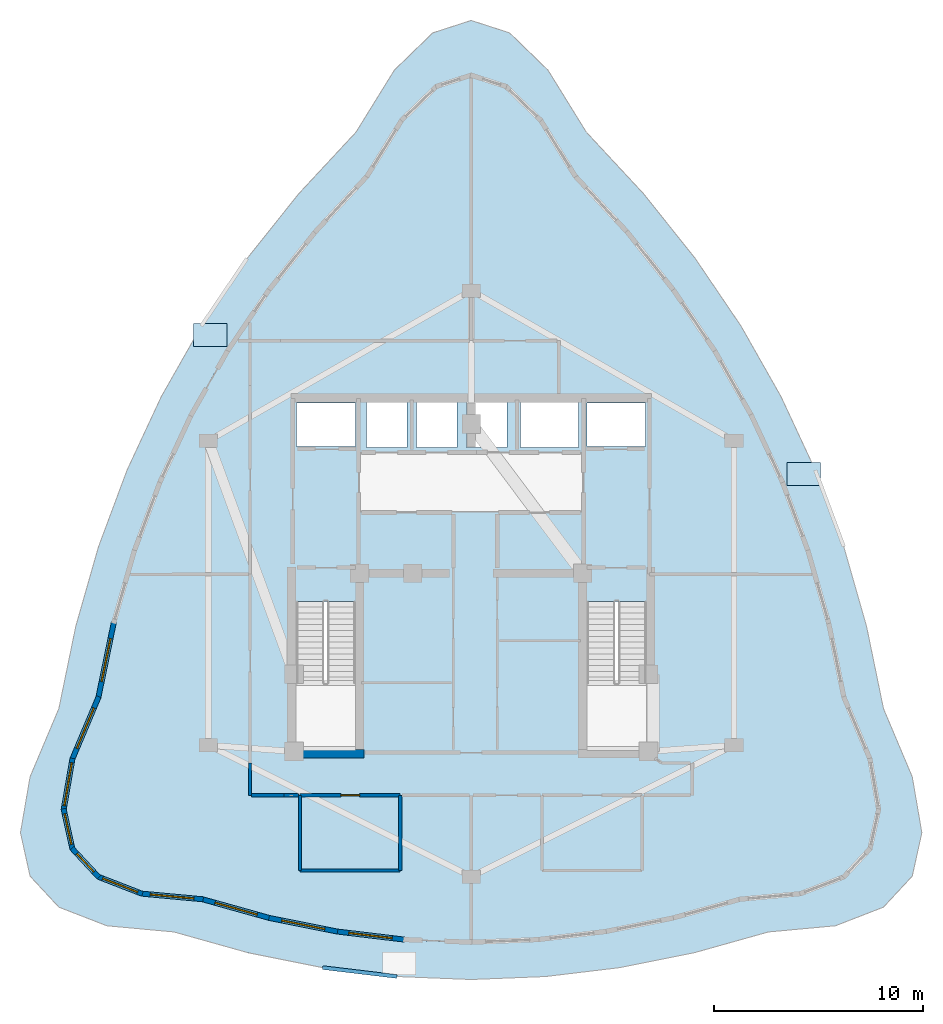
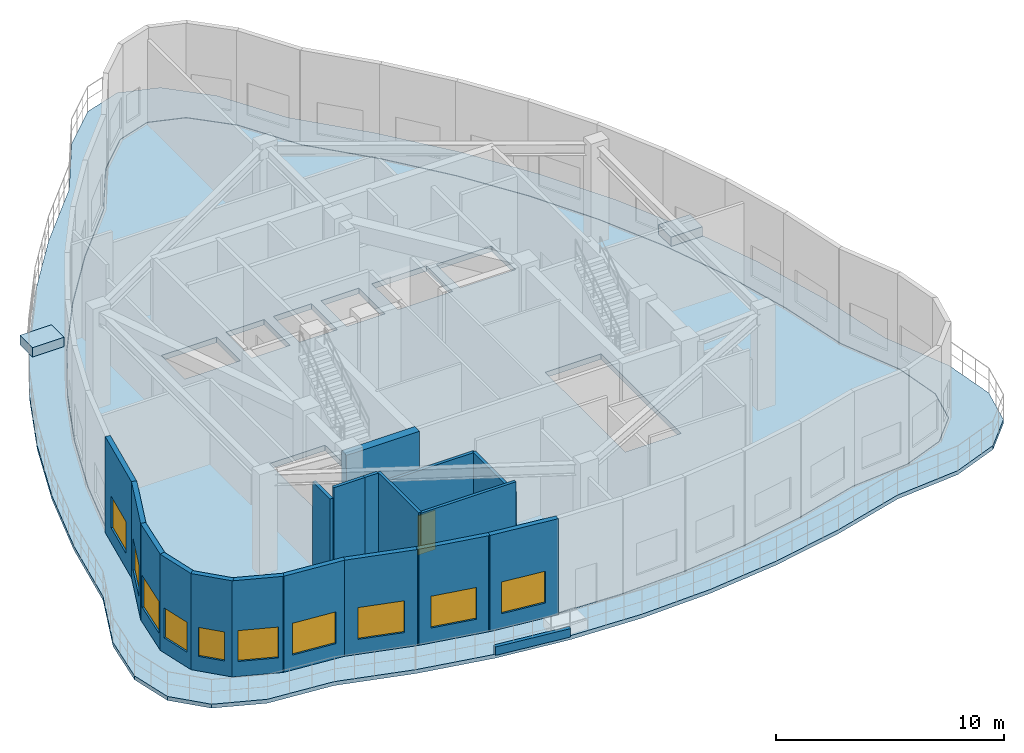
# One storey, part 3 of 11: 19 walls, 10 windows, 4 slabs, 1 door, 11 openings.
"""IFC4 building model written with IfcOpenShell, lengths in metres."""

from ifc_helpers import new_model, si_unit, direction, frame, frame_2d, origin, place, context, subcontext, project, spatial, polyline, rectangle, outline, extrude, material, layer, layer_set, type_object, element, fill, save


model = new_model("IFC4")

# Units and contexts
model_context = context("Model", 3, precision=1e-05, world=origin(), true_north=direction((0.0, 1.0)))
body_context = subcontext(model_context, "Body", "Model", "MODEL_VIEW")
ifc_project = project(units=[si_unit("LENGTHUNIT", "METRE"), si_unit("AREAUNIT", "SQUARE_METRE"), si_unit("VOLUMEUNIT", "CUBIC_METRE"), si_unit("PLANEANGLEUNIT", "RADIAN"), si_unit("MASSUNIT", "GRAM", prefix="KILO")], contexts=[model_context])

# Site, building, storey
site_placement = place(None, origin())
site = spatial("IfcSite", under=ifc_project, at=site_placement, CompositionType="ELEMENT")
building_placement = place(site_placement, origin())
building = spatial("IfcBuilding", under=site, at=building_placement, Name="Miruveldt Soraemaru", CompositionType="ELEMENT")
storey_placement = place(building_placement, frame((0.0, 0.0, 295.39990234375)))
storey = spatial("IfcBuildingStorey", under=building, at=storey_placement, Name="L79", CompositionType="ELEMENT", Elevation=295.39990234375)

# Slabs
ifc_material_1 = material(Name="Concrete C40/50 (40 MPa)", Category="concrete")
ifc_layer_1 = layer(ifc_material_1, 0.2900390625, Name="Concrete C40/50 (40 MPa)", Category="concrete")
ifc_layer_set_1 = layer_set([ifc_layer_1], Name="Concrete C40/50 (40 MPa)")
slab_type_1 = type_object("IfcSlabType", Name="SLAB-OBSV-290", PredefinedType="FLOOR", material=ifc_layer_set_1)
slab_1_placement = place(storey_placement, frame((0.0, 0.0, -0.289794921875)))
element("IfcSlab", 1, at=slab_1_placement, inside=storey, type_object=slab_type_1, Name="L79 Structural Floor Slab", PredefinedType="FLOOR", context=body_context, shape_type="SweptSolid", body=[
    extrude(outline(polyline([(51.4755859375, 60.413330078125), (53.71044921875, 57.61181640625), (55.695556640625, 54.681640625), (57.4306640625, 51.62255859375), (58.915771484375, 48.4345703125), (60.151123046875, 45.117919921875), (61.136474609375, 41.67236328125), (61.8720703125, 38.097900390625), (63.119873046875, 35.1396484375), (63.53564453125, 32.718994140625), (63.119873046875, 30.83642578125), (61.8720703125, 29.49169921875), (59.79248046875, 28.684814453125), (56.881103515625, 28.416015625), (53.660888671875, 27.514404296875), (50.4404296875, 26.870361328125), (47.22021484375, 26.48388671875), (44.0, 26.35498046875), (40.77978515625, 26.48388671875), (37.5595703125, 26.870361328125), (34.339111328125, 27.514404296875), (31.118896484375, 28.416015625), (28.20751953125, 28.684814453125), (26.1279296875, 29.49169921875), (24.880126953125, 30.83642578125), (24.46435546875, 32.718994140625), (24.880126953125, 35.1396484375), (26.1279296875, 38.097900390625), (26.863525390625, 41.67236328125), (27.848876953125, 45.117919921875), (29.084228515625, 48.4345703125), (30.5693359375, 51.62255859375), (32.304443359375, 54.681640625), (34.28955078125, 57.61181640625), (36.5244140625, 60.413330078125), (39.009033203125, 63.0859375), (40.672607421875, 65.775390625), (42.336181640625, 67.38916015625), (44.0, 67.927001953125), (45.663818359375, 67.38916015625), (47.327392578125, 65.775390625), (48.990966796875, 63.0859375), (51.4755859375, 60.413330078125)]), holes=[polyline([(35.614990234375, 35.6650390625), (38.43505859375, 35.6650390625), (38.43505859375, 42.68505859375), (35.614990234375, 42.68505859375), (35.614990234375, 35.6650390625)]), polyline([(49.56494140625, 35.6650390625), (52.385009765625, 35.6650390625), (52.385009765625, 42.68505859375), (49.56494140625, 42.68505859375), (49.56494140625, 35.6650390625)]), polyline([(38.445068359375, 50.135009765625), (38.445068359375, 52.205078125), (35.635009765625, 52.205078125), (35.635009765625, 50.135009765625), (38.445068359375, 50.135009765625)]), polyline([(52.364990234375, 50.135009765625), (52.364990234375, 52.205078125), (49.554931640625, 52.205078125), (49.554931640625, 50.135009765625), (52.364990234375, 50.135009765625)]), polyline([(40.9150390625, 50.06494140625), (40.9150390625, 52.3349609375), (38.985107421875, 52.3349609375), (38.985107421875, 50.06494140625), (40.9150390625, 50.06494140625)]), polyline([(43.31494140625, 50.06494140625), (43.31494140625, 52.3349609375), (41.385009765625, 52.3349609375), (41.385009765625, 50.06494140625), (43.31494140625, 50.06494140625)]), polyline([(45.715087890625, 50.06494140625), (45.715087890625, 52.3349609375), (43.784912109375, 52.3349609375), (43.784912109375, 50.06494140625), (45.715087890625, 50.06494140625)]), polyline([(49.135009765625, 50.06494140625), (49.135009765625, 52.3349609375), (46.364990234375, 52.3349609375), (46.364990234375, 50.06494140625), (49.135009765625, 50.06494140625)])]), origin(), (0.0, 0.0, 1.0), 0.289794921875),
])
ifc_material_2 = material(Name="Precast concrete C45/55 (45 MPa)", Category="concrete")
ifc_layer_2 = layer(ifc_material_2, 0.179931640625, Name="Precast concrete C45/55 (45 MPa)", Category="concrete")
ifc_layer_set_2 = layer_set([ifc_layer_2], Name="Precast concrete C45/55 (45 MPa)")
slab_type_2 = type_object("IfcSlabType", Name="SLAB-PLTR-180", PredefinedType="USERDEFINED", material=ifc_layer_set_2)
slab_2_placement = place(storey_placement, origin())
element("IfcSlab", 2, at=slab_2_placement, inside=storey, type_object=slab_type_2, Name="L79 Terrace Planter Bed PLANTER 1", ObjectType="PLANTER", PredefinedType="USERDEFINED", context=body_context, shape_type="SweptSolid", body=[
    extrude(outline(polyline([(30.697998046875, 54.923095703125), (32.298095703125, 54.923095703125), (32.298095703125, 56.02294921875), (30.697998046875, 56.02294921875), (30.697998046875, 54.923095703125)])), origin(), (0.0, 0.0, 1.0), 0.5),
])
slab_3_placement = place(storey_placement, origin())
element("IfcSlab", 3, at=slab_3_placement, inside=storey, type_object=slab_type_2, Name="L79 Terrace Planter Bed PLANTER 3", ObjectType="PLANTER", PredefinedType="USERDEFINED", context=body_context, shape_type="SweptSolid", body=[
    extrude(outline(polyline([(59.14404296875, 48.2451171875), (60.743896484375, 48.2451171875), (60.743896484375, 49.344970703125), (59.14404296875, 49.344970703125), (59.14404296875, 48.2451171875)])), origin(), (0.0, 0.0, 1.0), 0.5),
])
ifc_layer_3 = layer(ifc_material_1, 0.2099609375, Name="Concrete C40/50 (40 MPa)", Category="concrete")
ifc_layer_set_3 = layer_set([ifc_layer_3], Name="Concrete C40/50 (40 MPa)")
slab_type_3 = type_object("IfcSlabType", Name="SLAB-TERR-210", PredefinedType="ROOF", material=ifc_layer_set_3)
slab_4_placement = place(storey_placement, frame((0.0, 0.0, -0.2099609375)))
element("IfcSlab", 4, at=slab_4_placement, inside=storey, type_object=slab_type_3, Name="L79 Planted Terrace Roof Slab", PredefinedType="ROOF", context=body_context, shape_type="SweptSolid", body=[
    extrude(outline(polyline([(52.2685546875, 62.239013671875), (54.740478515625, 59.140380859375), (56.935791015625, 55.8994140625), (58.85498046875, 52.515869140625), (60.497802734375, 48.98974609375), (61.864013671875, 45.3212890625), (62.9541015625, 41.51025390625), (63.767578125, 37.556884765625), (65.147705078125, 34.284912109375), (65.607666015625, 31.607421875), (65.147705078125, 29.525146484375), (63.767578125, 28.037841796875), (61.46728515625, 27.1455078125), (58.247314453125, 26.847900390625), (54.685302734375, 25.8505859375), (51.12353515625, 25.13818359375), (47.561767578125, 24.7109375), (44.0, 24.568359375), (40.438232421875, 24.7109375), (36.87646484375, 25.13818359375), (33.314697265625, 25.8505859375), (29.752685546875, 26.847900390625), (26.53271484375, 27.1455078125), (24.232421875, 28.037841796875), (22.852294921875, 29.525146484375), (22.392333984375, 31.607421875), (22.852294921875, 34.284912109375), (24.232421875, 37.556884765625), (25.0458984375, 41.51025390625), (26.135986328125, 45.3212890625), (27.502197265625, 48.98974609375), (29.14501953125, 52.515869140625), (31.064208984375, 55.8994140625), (33.259521484375, 59.140380859375), (35.7314453125, 62.239013671875), (38.4794921875, 65.195068359375), (40.31982421875, 68.169921875), (42.159912109375, 69.95458984375), (44.0, 70.549560546875), (45.840087890625, 69.95458984375), (47.68017578125, 68.169921875), (49.5205078125, 65.195068359375), (52.2685546875, 62.239013671875)]), holes=[polyline([(47.340087890625, 65.783203125), (45.674072265625, 67.39990234375), (44.004638671875, 67.94140625), (42.331787109375, 67.4033203125), (40.662353515625, 65.7861328125), (38.9970703125, 63.09521484375), (36.51318359375, 60.423583984375), (34.27783203125, 57.62109375), (32.2919921875, 54.68994140625), (30.556396484375, 51.6298828125), (29.070556640625, 48.44091796875), (27.834716796875, 45.123046875), (26.84912109375, 41.676513671875), (26.113525390625, 38.1025390625), (24.866455078125, 35.1455078125), (24.449462890625, 32.7216796875), (24.865478515625, 30.833251953125), (26.116943359375, 29.481689453125), (28.2021484375, 28.6708984375), (31.1162109375, 28.401123046875), (34.335205078125, 27.5), (37.556640625, 26.855712890625), (40.77783203125, 26.468994140625), (43.99951171875, 26.340087890625), (47.220947265625, 26.46875), (50.4423828125, 26.85546875), (53.663818359375, 27.49951171875), (56.8837890625, 28.401123046875), (59.7939453125, 28.669921875), (61.87744140625, 29.477783203125), (63.130859375, 30.826416015625), (63.55029296875, 32.7158203125), (63.134521484375, 35.14208984375), (61.886474609375, 38.1025390625), (61.151123046875, 41.67529296875), (60.16552734375, 45.1220703125), (58.929931640625, 48.439697265625), (57.444091796875, 51.62890625), (55.70849609375, 54.68896484375), (53.722900390625, 57.6201171875), (51.4873046875, 60.422607421875), (49.0029296875, 63.09521484375), (47.340087890625, 65.783203125)])]), origin(), (0.0, 0.0, 1.0), 0.2099609375),
])

# Wall
ifc_material_3 = material(Name="Concrete C50/60 (50 MPa)", Category="concrete")
ifc_layer_4 = layer(ifc_material_3, 0.419921875, Name="Concrete C50/60 (50 MPa)", Category="concrete")
ifc_layer_set_4 = layer_set([ifc_layer_4], Name="Concrete C50/60 (50 MPa)")
wall_type_1 = type_object("IfcWallType", Name="WALL-CW-420", PredefinedType="SHEAR", material=ifc_layer_set_4)
wall_1_placement = place(storey_placement, frame((35.179931640625, 35.389892578125, 0.0), z_axis=(0.0, 0.0, 1.0), x_axis=(1.0, 0.0, 0.0)))
element("IfcWall", 5, at=wall_1_placement, inside=storey, type_object=wall_type_1, Name="L79 Central Core Shear Wall S1", PredefinedType="SHEAR", context=body_context, shape_type="SweptSolid", body=[
    extrude(rectangle(XDim=3.690185546875, YDim=0.419921875, at=frame_2d((1.84521484375, 0.0))), origin(), (0.0, 0.0, 1.0), 5.14013671875),
])

# Wall, opening, window
ifc_layer_5 = layer(ifc_material_2, 0.239990234375, Name="Precast concrete C45/55 (45 MPa)", Category="concrete")
ifc_layer_set_5 = layer_set([ifc_layer_5], Name="Precast concrete C45/55 (45 MPa)")
wall_type_2 = type_object("IfcWallType", Name="WALL-EXT-PC240", PredefinedType="SOLIDWALL", material=ifc_layer_set_5)
wall_2_placement = place(storey_placement, frame((26.87060546875, 41.706787109375, 0.0), z_axis=(0.0, 0.0, 1.0), x_axis=(-0.201578837363, -0.979472292782, 0.0)))
wall_2 = element("IfcWall", 6, at=wall_2_placement, inside=storey, type_object=wall_type_2, Name="L79 Precast Concrete Facade Wall 14", PredefinedType="SOLIDWALL", context=body_context, shape_type="SweptSolid", body=[
    extrude(rectangle(XDim=3.719482421875, YDim=0.239990234375, at=frame_2d((1.85986328125, 0.0))), origin(), (0.0, 0.0, 1.0), 5.14013671875),
])
opening_1_placement = place(wall_2_placement, frame((0.81005859375, 0.0, 0.800048828125)))
opening_1 = element("IfcOpeningElement", 7, at=opening_1_placement, cuts=wall_2, Name="Opening WN-1", PredefinedType="OPENING", context=body_context, shape_type="SweptSolid", body=[
    extrude(rectangle(XDim=2.10009765625, YDim=1.699951171875, at=frame_2d((1.050048828125, 0.85009765625))), frame((0.0, 0.1298828125, 0.0), z_axis=(0.0, -1.0, 0.0), x_axis=(1.0, 0.0, 0.0)), (0.0, 0.0, 1.0), 0.260009765625),
])
ifc_material_4 = material(Name="Triple low-e insulated glazing", Category="glass")
window_type_1 = type_object("IfcWindowType", Name="WIN-PUNCH-2100x1700", PartitioningType="SINGLE_PANEL", PredefinedType="WINDOW", material=ifc_material_4)
window_1_placement = place(opening_1_placement, origin())
window_1 = element("IfcWindow", 8, at=window_1_placement, inside=storey, type_object=window_type_1, Name="L79 Punched Triple-Glazed Window 14.1", OverallHeight=1.699951171875, OverallWidth=2.10009765625, PartitioningType="SINGLE_PANEL", PredefinedType="WINDOW", context=body_context, shape_type="SweptSolid", body=[
    extrude(rectangle(XDim=2.10009765625, YDim=1.699951171875, at=frame_2d((1.050048828125, 0.85009765625))), frame((0.0, 0.030029296875, 0.0), z_axis=(0.0, -1.0, 0.0), x_axis=(1.0, 0.0, 0.0)), (0.0, 0.0, 1.0), 0.06005859375),
])
fill(opening_1, window_1)

wall_3_placement = place(storey_placement, frame((26.1416015625, 38.130126953125, 0.0), z_axis=(0.0, 0.0, 1.0), x_axis=(-0.388622520849, -0.921397056805, 0.0)))
wall_3 = element("IfcWall", 9, at=wall_3_placement, inside=storey, type_object=wall_type_2, Name="L79 Precast Concrete Facade Wall 15", PredefinedType="SOLIDWALL", context=body_context, shape_type="SweptSolid", body=[
    extrude(rectangle(XDim=3.280517578125, YDim=0.239990234375, at=frame_2d((1.64013671875, 0.0))), origin(), (0.0, 0.0, 1.0), 5.14013671875),
])
opening_2_placement = place(wall_3_placement, frame((0.591064453125, 0.0, 0.800048828125)))
opening_2 = element("IfcOpeningElement", 10, at=opening_2_placement, cuts=wall_3, Name="Opening WN-1", PredefinedType="OPENING", context=body_context, shape_type="SweptSolid", body=[
    extrude(rectangle(XDim=2.10009765625, YDim=1.699951171875, at=frame_2d((1.050048828125, 0.85009765625))), frame((0.0, 0.1298828125, 0.0), z_axis=(0.0, -1.0, 0.0), x_axis=(1.0, 0.0, 0.0)), (0.0, 0.0, 1.0), 0.260009765625),
])
window_2_placement = place(opening_2_placement, origin())
window_2 = element("IfcWindow", 11, at=window_2_placement, inside=storey, type_object=window_type_1, Name="L79 Punched Triple-Glazed Window 15.1", OverallHeight=1.699951171875, OverallWidth=2.10009765625, PartitioningType="SINGLE_PANEL", PredefinedType="WINDOW", context=body_context, shape_type="SweptSolid", body=[
    extrude(rectangle(XDim=2.10009765625, YDim=1.699951171875, at=frame_2d((1.050048828125, 0.85009765625))), frame((0.0, 0.030029296875, 0.0), z_axis=(0.0, -1.0, 0.0), x_axis=(1.0, 0.0, 0.0)), (0.0, 0.0, 1.0), 0.06005859375),
])
fill(opening_2, window_2)

wall_4_placement = place(storey_placement, frame((24.885986328125, 35.174072265625, 0.0), z_axis=(0.0, 0.0, 1.0), x_axis=(-0.169240125324, -0.985574847477, 0.0)))
wall_4 = element("IfcWall", 12, at=wall_4_placement, inside=storey, type_object=wall_type_2, Name="L79 Precast Concrete Facade Wall 16", PredefinedType="SOLIDWALL", context=body_context, shape_type="SweptSolid", body=[
    extrude(rectangle(XDim=2.52587890625, YDim=0.239990234375, at=frame_2d((1.262939453125, 0.0))), origin(), (0.0, 0.0, 1.0), 5.14013671875),
])
opening_3_placement = place(wall_4_placement, frame((0.212890625, 0.0, 0.800048828125)))
opening_3 = element("IfcOpeningElement", 13, at=opening_3_placement, cuts=wall_4, Name="Opening WN-1", PredefinedType="OPENING", context=body_context, shape_type="SweptSolid", body=[
    extrude(rectangle(XDim=2.10009765625, YDim=1.699951171875, at=frame_2d((1.050048828125, 0.85009765625))), frame((0.0, 0.1298828125, 0.0), z_axis=(0.0, -1.0, 0.0), x_axis=(1.0, 0.0, 0.0)), (0.0, 0.0, 1.0), 0.260009765625),
])
window_3_placement = place(opening_3_placement, origin())
window_3 = element("IfcWindow", 14, at=window_3_placement, inside=storey, type_object=window_type_1, Name="L79 Punched Triple-Glazed Window 16.1", OverallHeight=1.699951171875, OverallWidth=2.10009765625, PartitioningType="SINGLE_PANEL", PredefinedType="WINDOW", context=body_context, shape_type="SweptSolid", body=[
    extrude(rectangle(XDim=2.10009765625, YDim=1.699951171875, at=frame_2d((1.050048828125, 0.85009765625))), frame((0.0, 0.030029296875, 0.0), z_axis=(0.0, -1.0, 0.0), x_axis=(1.0, 0.0, 0.0)), (0.0, 0.0, 1.0), 0.06005859375),
])
fill(opening_3, window_3)

wall_5_placement = place(storey_placement, frame((24.456787109375, 32.75341796875, 0.0), z_axis=(0.0, 0.0, 1.0), x_axis=(0.215649526387, -0.976470829963, 0.0)))
wall_5 = element("IfcWall", 15, at=wall_5_placement, inside=storey, type_object=wall_type_2, Name="L79 Precast Concrete Facade Wall 17", PredefinedType="SOLIDWALL", context=body_context, shape_type="SweptSolid", body=[
    extrude(rectangle(XDim=1.998291015625, YDim=0.239990234375, at=frame_2d((0.9990234375, 0.0))), origin(), (0.0, 0.0, 1.0), 5.14013671875),
])
opening_4_placement = place(wall_5_placement, frame((0.2490234375, 0.0, 0.800048828125)))
opening_4 = element("IfcOpeningElement", 16, at=opening_4_placement, cuts=wall_5, Name="Opening WN-3", PredefinedType="OPENING", context=body_context, shape_type="SweptSolid", body=[
    extrude(rectangle(XDim=1.5, YDim=1.60009765625, at=frame_2d((0.75, 0.800048828125))), frame((0.0, 0.1298828125, 0.0), z_axis=(0.0, -1.0, 0.0), x_axis=(1.0, 0.0, 0.0)), (0.0, 0.0, 1.0), 0.260009765625),
])
window_type_2 = type_object("IfcWindowType", Name="WIN-PUNCH-1500x1600", PartitioningType="SINGLE_PANEL", PredefinedType="WINDOW", material=ifc_material_4)
window_4_placement = place(opening_4_placement, origin())
window_4 = element("IfcWindow", 17, at=window_4_placement, inside=storey, type_object=window_type_2, Name="L79 Punched Triple-Glazed Window 17.1", OverallHeight=1.60009765625, OverallWidth=1.5, PartitioningType="SINGLE_PANEL", PredefinedType="WINDOW", context=body_context, shape_type="SweptSolid", body=[
    extrude(rectangle(XDim=1.5, YDim=1.60009765625, at=frame_2d((0.75, 0.800048828125))), frame((0.0, 0.030029296875, 0.0), z_axis=(0.0, -1.0, 0.0), x_axis=(1.0, 0.0, 0.0)), (0.0, 0.0, 1.0), 0.06005859375),
])
fill(opening_4, window_4)

wall_6_placement = place(storey_placement, frame((24.8564453125, 30.8623046875, 0.0), z_axis=(0.0, 0.0, 1.0), x_axis=(0.680072395428, -0.733144963139, 0.0)))
wall_6 = element("IfcWall", 18, at=wall_6_placement, inside=storey, type_object=wall_type_2, Name="L79 Precast Concrete Facade Wall 18", PredefinedType="SOLIDWALL", context=body_context, shape_type="SweptSolid", body=[
    extrude(rectangle(XDim=1.904541015625, YDim=0.239990234375, at=frame_2d((0.9521484375, 0.0))), origin(), (0.0, 0.0, 1.0), 5.14013671875),
])
opening_5_placement = place(wall_6_placement, frame((0.35205078125, 0.0, 0.780029296875)))
opening_5 = element("IfcOpeningElement", 19, at=opening_5_placement, cuts=wall_6, Name="Opening WN-4", PredefinedType="OPENING", context=body_context, shape_type="SweptSolid", body=[
    extrude(rectangle(XDim=1.199951171875, YDim=1.550048828125, at=frame_2d((0.60009765625, 0.77490234375))), frame((0.0, 0.1298828125, 0.0), z_axis=(0.0, -1.0, 0.0), x_axis=(1.0, 0.0, 0.0)), (0.0, 0.0, 1.0), 0.260009765625),
])
window_type_3 = type_object("IfcWindowType", Name="WIN-PUNCH-1200x1550", PartitioningType="SINGLE_PANEL", PredefinedType="WINDOW", material=ifc_material_4)
window_5_placement = place(opening_5_placement, origin())
window_5 = element("IfcWindow", 20, at=window_5_placement, inside=storey, type_object=window_type_3, Name="L79 Punched Triple-Glazed Window 18.1", OverallHeight=1.550048828125, OverallWidth=1.199951171875, PartitioningType="SINGLE_PANEL", PredefinedType="WINDOW", context=body_context, shape_type="SweptSolid", body=[
    extrude(rectangle(XDim=1.199951171875, YDim=1.550048828125, at=frame_2d((0.60009765625, 0.77490234375))), frame((0.0, 0.030029296875, 0.0), z_axis=(0.0, -1.0, 0.0), x_axis=(1.0, 0.0, 0.0)), (0.0, 0.0, 1.0), 0.06005859375),
])
fill(opening_5, window_5)

wall_7_placement = place(storey_placement, frame((26.09521484375, 29.50439453125, 0.0), z_axis=(0.0, 0.0, 1.0), x_axis=(0.932269297358, -0.361765058019, 0.0)))
wall_7 = element("IfcWall", 21, at=wall_7_placement, inside=storey, type_object=wall_type_2, Name="L79 Precast Concrete Facade Wall 19", PredefinedType="SOLIDWALL", context=body_context, shape_type="SweptSolid", body=[
    extrude(rectangle(XDim=2.300537109375, YDim=0.239990234375, at=frame_2d((1.150390625, 0.0))), origin(), (0.0, 0.0, 1.0), 5.14013671875),
])
opening_6_placement = place(wall_7_placement, frame((0.2509765625, 0.0, 0.800048828125)))
opening_6 = element("IfcOpeningElement", 22, at=opening_6_placement, cuts=wall_7, Name="Opening WN-2", PredefinedType="OPENING", context=body_context, shape_type="SweptSolid", body=[
    extrude(rectangle(XDim=1.800048828125, YDim=1.64990234375, at=frame_2d((0.89990234375, 0.824951171875))), frame((0.0, 0.1298828125, 0.0), z_axis=(0.0, -1.0, 0.0), x_axis=(1.0, 0.0, 0.0)), (0.0, 0.0, 1.0), 0.260009765625),
])
window_type_4 = type_object("IfcWindowType", Name="WIN-PUNCH-1800x1650", PartitioningType="SINGLE_PANEL", PredefinedType="WINDOW", material=ifc_material_4)
window_6_placement = place(opening_6_placement, origin())
window_6 = element("IfcWindow", 23, at=window_6_placement, inside=storey, type_object=window_type_4, Name="L79 Punched Triple-Glazed Window 19.1", OverallHeight=1.64990234375, OverallWidth=1.800048828125, PartitioningType="SINGLE_PANEL", PredefinedType="WINDOW", context=body_context, shape_type="SweptSolid", body=[
    extrude(rectangle(XDim=1.800048828125, YDim=1.64990234375, at=frame_2d((0.89990234375, 0.824951171875))), frame((0.0, 0.030029296875, 0.0), z_axis=(0.0, -1.0, 0.0), x_axis=(1.0, 0.0, 0.0)), (0.0, 0.0, 1.0), 0.06005859375),
])
fill(opening_6, window_6)

wall_8_placement = place(storey_placement, frame((28.172607421875, 28.68798828125, 0.0), z_axis=(0.0, 0.0, 1.0), x_axis=(0.995767942029, -0.091903240575, 0.0)))
wall_8 = element("IfcWall", 24, at=wall_8_placement, inside=storey, type_object=wall_type_2, Name="L79 Precast Concrete Facade Wall 20", PredefinedType="SOLIDWALL", context=body_context, shape_type="SweptSolid", body=[
    extrude(rectangle(XDim=2.993896484375, YDim=0.239990234375, at=frame_2d((1.4970703125, 0.0))), origin(), (0.0, 0.0, 1.0), 5.14013671875),
])
opening_7_placement = place(wall_8_placement, frame((0.447021484375, 0.0, 0.800048828125)))
opening_7 = element("IfcOpeningElement", 25, at=opening_7_placement, cuts=wall_8, Name="Opening WN-1", PredefinedType="OPENING", context=body_context, shape_type="SweptSolid", body=[
    extrude(rectangle(XDim=2.10009765625, YDim=1.699951171875, at=frame_2d((1.050048828125, 0.85009765625))), frame((0.0, 0.1298828125, 0.0), z_axis=(0.0, -1.0, 0.0), x_axis=(1.0, 0.0, 0.0)), (0.0, 0.0, 1.0), 0.260009765625),
])
window_7_placement = place(opening_7_placement, origin())
window_7 = element("IfcWindow", 26, at=window_7_placement, inside=storey, type_object=window_type_1, Name="L79 Punched Triple-Glazed Window 20.1", OverallHeight=1.699951171875, OverallWidth=2.10009765625, PartitioningType="SINGLE_PANEL", PredefinedType="WINDOW", context=body_context, shape_type="SweptSolid", body=[
    extrude(rectangle(XDim=2.10009765625, YDim=1.699951171875, at=frame_2d((1.050048828125, 0.85009765625))), frame((0.0, 0.030029296875, 0.0), z_axis=(0.0, -1.0, 0.0), x_axis=(1.0, 0.0, 0.0)), (0.0, 0.0, 1.0), 0.06005859375),
])
fill(opening_7, window_7)

wall_9_placement = place(storey_placement, frame((31.085205078125, 28.42529296875, 0.0), z_axis=(0.0, 0.0, 1.0), x_axis=(0.962972931592, -0.269598095359, 0.0)))
wall_9 = element("IfcWall", 27, at=wall_9_placement, inside=storey, type_object=wall_type_2, Name="L79 Precast Concrete Facade Wall 21", PredefinedType="SOLIDWALL", context=body_context, shape_type="SweptSolid", body=[
    extrude(rectangle(XDim=3.4140625, YDim=0.239990234375, at=frame_2d((1.70703125, 0.0))), origin(), (0.0, 0.0, 1.0), 5.14013671875),
])
opening_8_placement = place(wall_9_placement, frame((0.656982421875, 0.0, 0.800048828125)))
opening_8 = element("IfcOpeningElement", 28, at=opening_8_placement, cuts=wall_9, Name="Opening WN-1", PredefinedType="OPENING", context=body_context, shape_type="SweptSolid", body=[
    extrude(rectangle(XDim=2.10009765625, YDim=1.699951171875, at=frame_2d((1.050048828125, 0.85009765625))), frame((0.0, 0.1298828125, 0.0), z_axis=(0.0, -1.0, 0.0), x_axis=(1.0, 0.0, 0.0)), (0.0, 0.0, 1.0), 0.260009765625),
])
window_8_placement = place(opening_8_placement, origin())
window_8 = element("IfcWindow", 29, at=window_8_placement, inside=storey, type_object=window_type_1, Name="L79 Punched Triple-Glazed Window 21.1", OverallHeight=1.699951171875, OverallWidth=2.10009765625, PartitioningType="SINGLE_PANEL", PredefinedType="WINDOW", context=body_context, shape_type="SweptSolid", body=[
    extrude(rectangle(XDim=2.10009765625, YDim=1.699951171875, at=frame_2d((1.050048828125, 0.85009765625))), frame((0.0, 0.030029296875, 0.0), z_axis=(0.0, -1.0, 0.0), x_axis=(1.0, 0.0, 0.0)), (0.0, 0.0, 1.0), 0.06005859375),
])
fill(opening_8, window_8)

wall_10_placement = place(storey_placement, frame((34.304931640625, 27.521240234375, 0.0), z_axis=(0.0, 0.0, 1.0), x_axis=(0.980569475455, -0.196172128005, 0.0)))
wall_10 = element("IfcWall", 30, at=wall_10_placement, inside=storey, type_object=wall_type_2, Name="L79 Precast Concrete Facade Wall 22", PredefinedType="SOLIDWALL", context=body_context, shape_type="SweptSolid", body=[
    extrude(rectangle(XDim=3.35400390625, YDim=0.239990234375, at=frame_2d((1.677001953125, 0.0))), origin(), (0.0, 0.0, 1.0), 5.14013671875),
])
opening_9_placement = place(wall_10_placement, frame((0.626953125, 0.0, 0.800048828125)))
opening_9 = element("IfcOpeningElement", 31, at=opening_9_placement, cuts=wall_10, Name="Opening WN-1", PredefinedType="OPENING", context=body_context, shape_type="SweptSolid", body=[
    extrude(rectangle(XDim=2.10009765625, YDim=1.699951171875, at=frame_2d((1.050048828125, 0.85009765625))), frame((0.0, 0.1298828125, 0.0), z_axis=(0.0, -1.0, 0.0), x_axis=(1.0, 0.0, 0.0)), (0.0, 0.0, 1.0), 0.260009765625),
])
window_9_placement = place(opening_9_placement, origin())
window_9 = element("IfcWindow", 32, at=window_9_placement, inside=storey, type_object=window_type_1, Name="L79 Punched Triple-Glazed Window 22.1", OverallHeight=1.699951171875, OverallWidth=2.10009765625, PartitioningType="SINGLE_PANEL", PredefinedType="WINDOW", context=body_context, shape_type="SweptSolid", body=[
    extrude(rectangle(XDim=2.10009765625, YDim=1.699951171875, at=frame_2d((1.050048828125, 0.85009765625))), frame((0.0, 0.030029296875, 0.0), z_axis=(0.0, -1.0, 0.0), x_axis=(1.0, 0.0, 0.0)), (0.0, 0.0, 1.0), 0.06005859375),
])
fill(opening_9, window_9)

wall_11_placement = place(storey_placement, frame((37.524658203125, 26.87451171875, 0.0), z_axis=(0.0, 0.0, 1.0), x_axis=(0.992868119477, -0.119217856572, 0.0)))
wall_11 = element("IfcWall", 33, at=wall_11_placement, inside=storey, type_object=wall_type_2, Name="L79 Precast Concrete Facade Wall 23", PredefinedType="SOLIDWALL", context=body_context, shape_type="SweptSolid", body=[
    extrude(rectangle(XDim=3.3134765625, YDim=0.239990234375, at=frame_2d((1.65673828125, 0.0))), origin(), (0.0, 0.0, 1.0), 5.14013671875),
])
opening_10_placement = place(wall_11_placement, frame((0.60693359375, 0.0, 0.800048828125)))
opening_10 = element("IfcOpeningElement", 34, at=opening_10_placement, cuts=wall_11, Name="Opening WN-1", PredefinedType="OPENING", context=body_context, shape_type="SweptSolid", body=[
    extrude(rectangle(XDim=2.10009765625, YDim=1.699951171875, at=frame_2d((1.050048828125, 0.85009765625))), frame((0.0, 0.1298828125, 0.0), z_axis=(0.0, -1.0, 0.0), x_axis=(1.0, 0.0, 0.0)), (0.0, 0.0, 1.0), 0.260009765625),
])
window_10_placement = place(opening_10_placement, origin())
window_10 = element("IfcWindow", 35, at=window_10_placement, inside=storey, type_object=window_type_1, Name="L79 Punched Triple-Glazed Window 23.1", OverallHeight=1.699951171875, OverallWidth=2.10009765625, PartitioningType="SINGLE_PANEL", PredefinedType="WINDOW", context=body_context, shape_type="SweptSolid", body=[
    extrude(rectangle(XDim=2.10009765625, YDim=1.699951171875, at=frame_2d((1.050048828125, 0.85009765625))), frame((0.0, 0.030029296875, 0.0), z_axis=(0.0, -1.0, 0.0), x_axis=(1.0, 0.0, 0.0)), (0.0, 0.0, 1.0), 0.06005859375),
])
fill(opening_10, window_10)

# Wall, opening, door
ifc_material_5 = material(Name="Gypsum plasterboard lining", Category="gypsum")
ifc_layer_6 = layer(ifc_material_5, 0.14990234375, Name="Gypsum plasterboard lining", Category="gypsum")
ifc_layer_set_6 = layer_set([ifc_layer_6], Name="Gypsum plasterboard lining")
wall_type_3 = type_object("IfcWallType", Name="WALL-INT-PLUMB", PredefinedType="PLUMBINGWALL", material=ifc_layer_set_6)
wall_12_placement = place(storey_placement, frame((35.800048828125, 33.39990234375, 0.0), z_axis=(0.0, 0.0, 1.0), x_axis=(1.0, 0.0, 0.0)))
wall_12 = element("IfcWall", 36, at=wall_12_placement, inside=storey, type_object=wall_type_3, Name="L79 Partition Wall 1", PredefinedType="PLUMBINGWALL", context=body_context, shape_type="SweptSolid", body=[
    extrude(rectangle(XDim=4.800048828125, YDim=0.14990234375, at=frame_2d((2.39990234375, 0.0))), origin(), (0.0, 0.0, 1.0), 4.5400390625),
])
opening_11_placement = place(wall_12_placement, frame((1.949951171875, 0.0, 0.0)))
opening_11 = element("IfcOpeningElement", 37, at=opening_11_placement, cuts=wall_12, Name="Opening D3", PredefinedType="OPENING", context=body_context, shape_type="SweptSolid", body=[
    extrude(rectangle(XDim=0.89990234375, YDim=2.10009765625, at=frame_2d((0.449951171875, 1.050048828125))), frame((0.0, 0.0849609375, 0.0), z_axis=(0.0, -1.0, 0.0), x_axis=(1.0, 0.0, 0.0)), (0.0, 0.0, 1.0), 0.169921875),
])
ifc_material_6 = material(Name="Anodised aluminium EN AW-6063 T6", Category="aluminium")
door_type = type_object("IfcDoorType", Name="DOOR-INT-900", OperationType="NOTDEFINED", PredefinedType="DOOR", material=ifc_material_6)
door_placement = place(opening_11_placement, origin())
door = element("IfcDoor", 38, at=door_placement, inside=storey, type_object=door_type, Name="L79 Public Restroom Door", OperationType="SINGLE_SWING_RIGHT", OverallHeight=2.10009765625, OverallWidth=0.89990234375, PredefinedType="DOOR", context=body_context, shape_type="SweptSolid", body=[
    extrude(rectangle(XDim=0.89990234375, YDim=2.10009765625, at=frame_2d((0.449951171875, 1.050048828125))), frame((0.0, 0.02490234375, 0.0), z_axis=(0.0, -1.0, 0.0), x_axis=(1.0, 0.0, 0.0)), (0.0, 0.0, 1.0), 0.050048828125),
])
fill(opening_11, door)

# Walls
wall_13_placement = place(storey_placement, frame((35.800048828125, 29.800048828125, 0.0), z_axis=(0.0, 0.0, 1.0), x_axis=(1.0, 0.0, 0.0)))
element("IfcWall", 39, at=wall_13_placement, inside=storey, type_object=wall_type_3, Name="L79 Partition Wall 19", PredefinedType="PLUMBINGWALL", context=body_context, shape_type="SweptSolid", body=[
    extrude(rectangle(XDim=4.800048828125, YDim=0.14990234375, at=frame_2d((2.39990234375, 0.0))), origin(), (0.0, 0.0, 1.0), 5.14013671875),
])
wall_14_placement = place(storey_placement, frame((35.800048828125, 33.39990234375, 0.0), z_axis=(0.0, 0.0, 1.0), x_axis=(0.0, -1.0, 0.0)))
element("IfcWall", 40, at=wall_14_placement, inside=storey, type_object=wall_type_3, Name="L79 Partition Wall 18", PredefinedType="PLUMBINGWALL", context=body_context, shape_type="SweptSolid", body=[
    extrude(rectangle(XDim=3.599853515625, YDim=0.14990234375, at=frame_2d((1.7998046875, 0.0))), origin(), (0.0, 0.0, 1.0), 5.14013671875),
])
wall_15_placement = place(storey_placement, frame((40.60009765625, 29.800048828125, 0.0), z_axis=(0.0, 0.0, 1.0), x_axis=(0.0, 1.0, 0.0)))
element("IfcWall", 41, at=wall_15_placement, inside=storey, type_object=wall_type_3, Name="L79 Partition Wall 20", PredefinedType="PLUMBINGWALL", context=body_context, shape_type="SweptSolid", body=[
    extrude(rectangle(XDim=3.599853515625, YDim=0.14990234375, at=frame_2d((1.7998046875, 0.0))), origin(), (0.0, 0.0, 1.0), 4.5400390625),
])
ifc_layer_7 = layer(ifc_material_1, 0.159912109375, Name="Concrete C40/50 (40 MPa)", Category="concrete")
ifc_layer_set_7 = layer_set([ifc_layer_7], Name="Concrete C40/50 (40 MPa)")
wall_type_4 = type_object("IfcWallType", Name="WALL-INT-RC160", PredefinedType="SOLIDWALL", material=ifc_layer_set_7)
wall_16_placement = place(storey_placement, frame((33.39990234375, 34.949951171875, 0.0), z_axis=(0.0, 0.0, 1.0), x_axis=(0.0, -1.0, 0.0)))
element("IfcWall", 42, at=wall_16_placement, inside=storey, type_object=wall_type_4, Name="L79 Partition Wall 4", PredefinedType="SOLIDWALL", context=body_context, shape_type="SweptSolid", body=[
    extrude(rectangle(XDim=1.550048828125, YDim=0.159912109375, at=frame_2d((0.77490234375, 0.0))), origin(), (0.0, 0.0, 1.0), 4.5400390625),
])
wall_17_placement = place(storey_placement, frame((33.47998046875, 33.39990234375, 0.0), z_axis=(0.0, 0.0, 1.0), x_axis=(1.0, 0.0, 0.0)))
element("IfcWall", 43, at=wall_17_placement, inside=storey, type_object=wall_type_4, Name="L79 Partition Wall 5", PredefinedType="SOLIDWALL", context=body_context, shape_type="SweptSolid", body=[
    extrude(rectangle(XDim=1.550048828125, YDim=0.159912109375, at=frame_2d((0.77490234375, 0.0))), origin(), (0.0, 0.0, 1.0), 5.14013671875),
])
wall_18_placement = place(storey_placement, frame((35.030029296875, 33.39990234375, 0.0), z_axis=(0.0, 0.0, 1.0), x_axis=(1.0, 0.0, 0.0)))
element("IfcWall", 44, at=wall_18_placement, inside=storey, type_object=wall_type_4, Name="L79 Partition Wall 6", PredefinedType="SOLIDWALL", context=body_context, shape_type="SweptSolid", body=[
    extrude(rectangle(XDim=0.68994140625, YDim=0.159912109375, at=frame_2d((0.344970703125, 0.0))), origin(), (0.0, 0.0, 1.0), 5.14013671875),
])
ifc_layer_8 = layer(ifc_material_2, 0.179931640625, Name="Precast concrete C45/55 (45 MPa)", Category="concrete")
ifc_layer_set_8 = layer_set([ifc_layer_8], Name="Precast concrete C45/55 (45 MPa)")
wall_type_5 = type_object("IfcWallType", Name="WALL-PAR-180", PredefinedType="PARAPET", material=ifc_layer_set_8)
wall_19_placement = place(storey_placement, frame((36.87646484375, 25.13818359375, 0.0), z_axis=(0.0, 0.0, 1.0), x_axis=(0.992882312049, -0.119099598745, 0.0)))
element("IfcWall", 45, at=wall_19_placement, inside=storey, type_object=wall_type_5, Name="L79 Terrace Upstand Parapet 22", PredefinedType="PARAPET", context=body_context, shape_type="SweptSolid", body=[
    extrude(rectangle(XDim=3.58740234375, YDim=0.179931640625, at=frame_2d((1.793701171875, 0.0))), origin(), (0.0, 0.0, 1.0), 0.4501953125),
])

save(model, "model.ifc")
